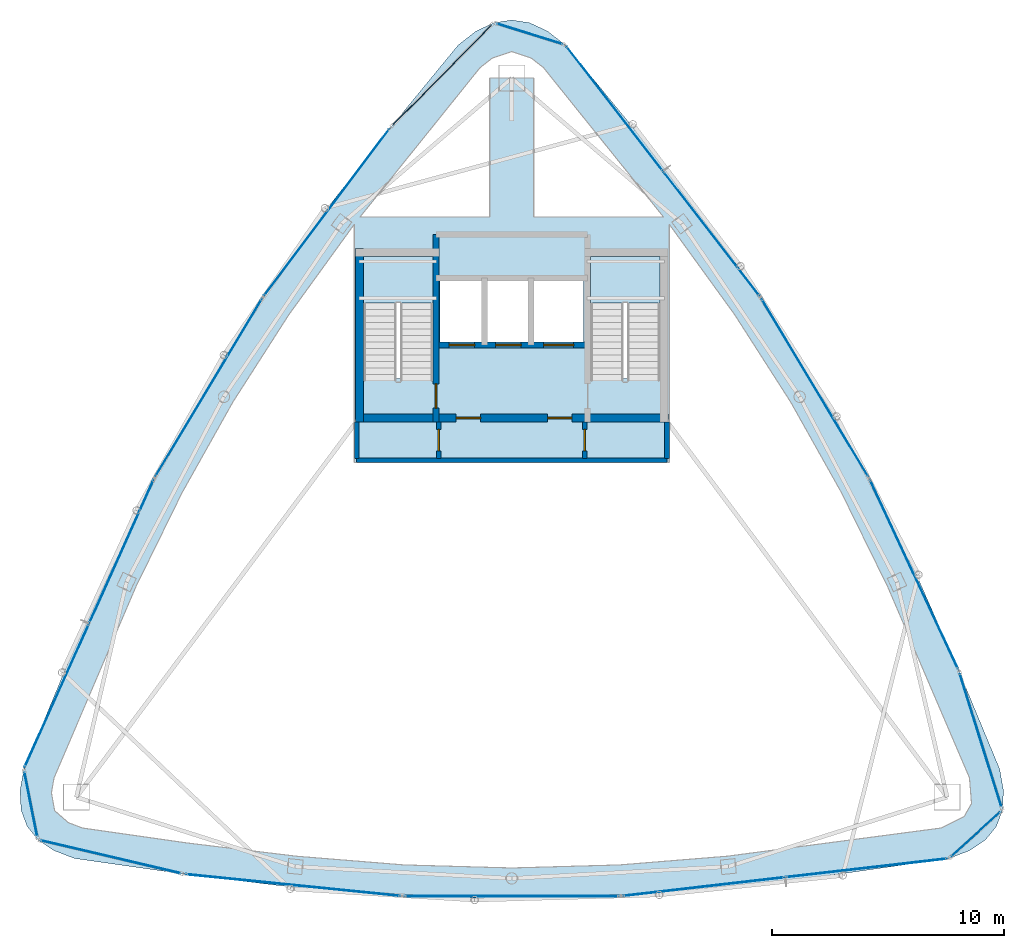
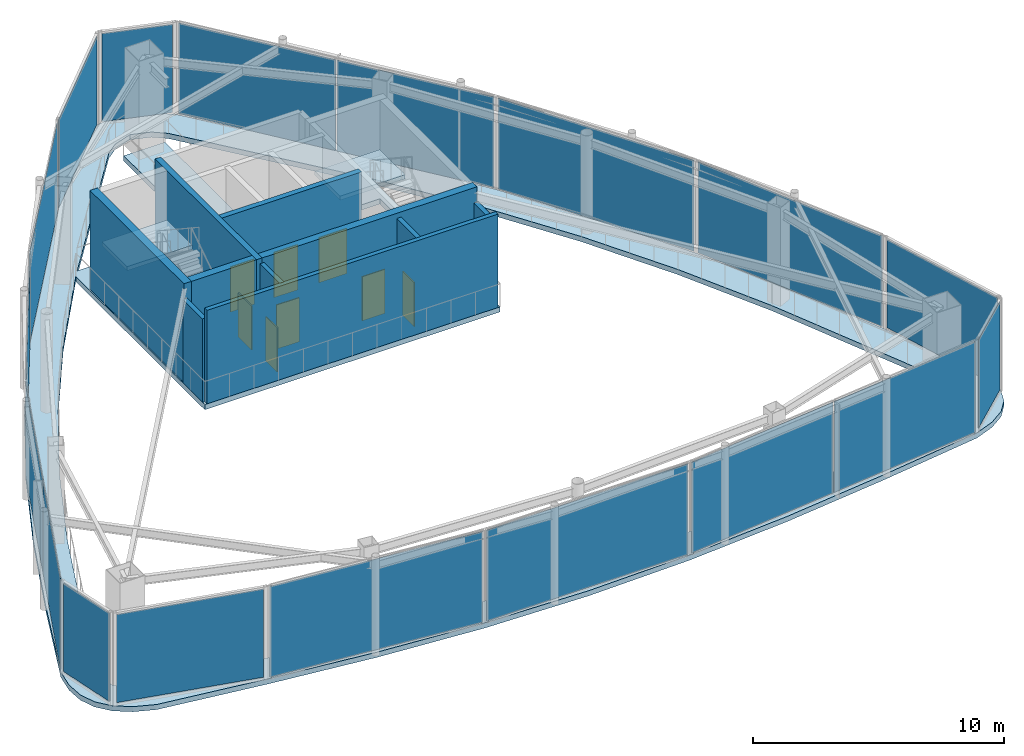
# One storey, part 15 of 19: 18 plates, 9 walls, 8 doors, 3 slabs, 8 openings, 17 elements without a shape of their own.
"""IFC4 building model written with IfcOpenShell, lengths in metres."""

from ifc_helpers import new_model, si_unit, direction, frame, frame_2d, origin, origin_2d, place, context, subcontext, project, spatial, polyline, rectangle, outline, extrude, material, layer, layer_set, type_object, element, fill, aggregate, save


model = new_model("IFC4")

# Units and contexts
model_context = context("Model", 3, precision=1e-05, world=origin(), true_north=direction((0.0, 1.0)))
body_context = subcontext(model_context, "Body", "Model", "MODEL_VIEW")
ifc_project = project(units=[si_unit("LENGTHUNIT", "METRE"), si_unit("AREAUNIT", "SQUARE_METRE"), si_unit("VOLUMEUNIT", "CUBIC_METRE"), si_unit("PLANEANGLEUNIT", "RADIAN"), si_unit("MASSUNIT", "GRAM", prefix="KILO")], contexts=[model_context])

# Site, building, storey
site_placement = place(None, origin())
site = spatial("IfcSite", under=ifc_project, at=site_placement, CompositionType="ELEMENT")
building_placement = place(site_placement, origin())
building = spatial("IfcBuilding", under=site, at=building_placement, Name="Orvanel Arch Residences", CompositionType="ELEMENT")
storey_placement = place(building_placement, frame((0.0, 0.0, 295.699951171875)))
storey = spatial("IfcBuildingStorey", under=building, at=storey_placement, Name="L83", CompositionType="ELEMENT", Elevation=295.699951171875)

# Curtain wall, plate
ifc_material_1 = material(Name="Bronze-anodised aluminium AA6063-T6", Category="aluminium")
ifc_layer_1 = layer(ifc_material_1, 0.2099609375)
ifc_layer_set_1 = layer_set([ifc_layer_1], Name="Bronze-anodised aluminium AA6063-T6")
curtain_wall_type = type_object("IfcCurtainWallType", Name="CW7-TOP-SYS", PredefinedType="NOTDEFINED", material=ifc_layer_set_1)
curtain_wall_1_placement = place(storey_placement, origin())
curtain_wall_1 = element("IfcCurtainWall", 1, at=curtain_wall_1_placement, inside=storey, type_object=curtain_wall_type, Name="L83 CW7-TOP-SYS Unitised Curtain Wall", PredefinedType="NOTDEFINED")
ifc_material_2 = material(Name="Double-glazed solar-control low-E safety glass", Category="glass")
ifc_layer_2 = layer(ifc_material_2, 0.031982421875)
ifc_layer_set_2 = layer_set([ifc_layer_2], Name="Double-glazed solar-control low-E safety glass")
plate_type = type_object("IfcPlateType", Name="PNL-GLZ-32", PredefinedType="CURTAIN_PANEL", material=ifc_layer_set_2)
plate_1_placement = place(storey_placement, frame((33.771484375, 43.30859375, 0.130126953125), z_axis=(0.0, 0.0, 1.0), x_axis=(-0.954819263057, 0.297187104186, 0.0)))
plate_1 = element("IfcPlate", 2, at=plate_1_placement, type_object=plate_type, Name="CW-S7 panel 1.1", PredefinedType="CURTAIN_PANEL", context=body_context, shape_type="SweptSolid", body=[
    extrude(rectangle(XDim=2.893310546875, YDim=0.031982421875, at=origin_2d()), origin(), (0.0, 0.0, 1.0), 4.2900390625),
])
aggregate(curtain_wall_1, [plate_1])

curtain_wall_2_placement = place(storey_placement, origin())
curtain_wall_2 = element("IfcCurtainWall", 3, at=curtain_wall_2_placement, inside=storey, type_object=curtain_wall_type, Name="L83 CW7-TOP-SYS Unitised Curtain Wall", PredefinedType="NOTDEFINED")
plate_2_placement = place(storey_placement, frame((29.99560546875, 41.528564453125, 0.130126953125), z_axis=(0.0, 0.0, 1.0), x_axis=(-0.702658700907, -0.71152705503, 0.0)))
plate_2 = element("IfcPlate", 4, at=plate_2_placement, type_object=plate_type, Name="CW-S7 panel 1.1", PredefinedType="CURTAIN_PANEL", context=body_context, shape_type="SweptSolid", body=[
    extrude(rectangle(XDim=6.0146484375, YDim=0.031982421875, at=origin_2d()), origin(), (0.0, 0.0, 1.0), 4.2900390625),
])
aggregate(curtain_wall_2, [plate_2])

curtain_wall_3_placement = place(storey_placement, origin())
curtain_wall_3 = element("IfcCurtainWall", 5, at=curtain_wall_3_placement, inside=storey, type_object=curtain_wall_type, Name="L83 CW7-TOP-SYS Unitised Curtain Wall", PredefinedType="NOTDEFINED")
plate_3_placement = place(storey_placement, frame((12.236572265625, 10.03857421875, 0.130126953125), z_axis=(0.0, 0.0, 1.0), x_axis=(0.195615366274, -0.980680696495, 0.0)))
plate_3 = element("IfcPlate", 6, at=plate_3_placement, type_object=plate_type, Name="CW-S7 panel 1.1", PredefinedType="CURTAIN_PANEL", context=body_context, shape_type="SweptSolid", body=[
    extrude(rectangle(XDim=2.7724609375, YDim=0.031982421875, at=origin_2d()), origin(), (0.0, 0.0, 1.0), 4.2900390625),
])
aggregate(curtain_wall_3, [plate_3])

curtain_wall_4_placement = place(storey_placement, origin())
curtain_wall_4 = element("IfcCurtainWall", 7, at=curtain_wall_4_placement, inside=storey, type_object=curtain_wall_type, Name="L83 CW7-TOP-SYS Unitised Curtain Wall", PredefinedType="NOTDEFINED")
plate_4_placement = place(storey_placement, frame((15.689453125, 7.77197265625, 0.130126953125), z_axis=(0.0, 0.0, 1.0), x_axis=(0.973510919271, -0.22864052585, 0.0)))
plate_4 = element("IfcPlate", 8, at=plate_4_placement, type_object=plate_type, Name="CW-S7 panel 1.1", PredefinedType="CURTAIN_PANEL", context=body_context, shape_type="SweptSolid", body=[
    extrude(rectangle(XDim=6.12939453125, YDim=0.031982421875, at=origin_2d()), origin(), (0.0, 0.0, 1.0), 4.2900390625),
])
aggregate(curtain_wall_4, [plate_4])

curtain_wall_5_placement = place(storey_placement, origin())
curtain_wall_5 = element("IfcCurtainWall", 9, at=curtain_wall_5_placement, inside=storey, type_object=curtain_wall_type, Name="L83 CW7-TOP-SYS Unitised Curtain Wall", PredefinedType="NOTDEFINED")
plate_5_placement = place(storey_placement, frame((53.035400390625, 8.75244140625, 0.130126953125), z_axis=(0.0, 0.0, 1.0), x_axis=(0.740131415499, 0.672462257522, 0.0)))
plate_5 = element("IfcPlate", 10, at=plate_5_placement, type_object=plate_type, Name="CW-S7 panel 1.1", PredefinedType="CURTAIN_PANEL", context=body_context, shape_type="SweptSolid", body=[
    extrude(rectangle(XDim=2.773681640625, YDim=0.031982421875, at=origin_2d()), origin(), (0.0, 0.0, 1.0), 4.2900390625),
])
aggregate(curtain_wall_5, [plate_5])

curtain_wall_6_placement = place(storey_placement, origin())
curtain_wall_6 = element("IfcCurtainWall", 11, at=curtain_wall_6_placement, inside=storey, type_object=curtain_wall_type, Name="L83 CW7-TOP-SYS Unitised Curtain Wall", PredefinedType="NOTDEFINED")
plate_6_placement = place(storey_placement, frame((53.2451171875, 12.8095703125, 0.130126953125), z_axis=(0.0, 0.0, 1.0), x_axis=(-0.298901573542, 0.954283945864, 0.0)))
plate_6 = element("IfcPlate", 12, at=plate_6_placement, type_object=plate_type, Name="CW-S7 panel 1.1", PredefinedType="CURTAIN_PANEL", context=body_context, shape_type="SweptSolid", body=[
    extrude(rectangle(XDim=5.9697265625, YDim=0.031982421875, at=origin_2d()), origin(), (0.0, 0.0, 1.0), 4.2900390625),
])
aggregate(curtain_wall_6, [plate_6])

curtain_wall_7_placement = place(storey_placement, origin())
curtain_wall_7 = element("IfcCurtainWall", 13, at=curtain_wall_7_placement, inside=storey, type_object=curtain_wall_type, Name="L83 CW7-TOP-SYS Unitised Curtain Wall", PredefinedType="NOTDEFINED")
plate_7_placement = place(storey_placement, frame((25.009521484375, 35.60498046875, 0.065185546875), z_axis=(0.0, 0.0, 1.0), x_axis=(-0.600876351509, -0.799341985759, 0.0)))
plate_7 = element("IfcPlate", 14, at=plate_7_placement, type_object=plate_type, Name="CW-S7 panel 1.1", PredefinedType="CURTAIN_PANEL", context=body_context, shape_type="SweptSolid", body=[
    extrude(rectangle(XDim=8.97509765625, YDim=0.031982421875, at=origin_2d()), origin(), (0.0, 0.0, 1.0), 4.419921875),
])
aggregate(curtain_wall_7, [plate_7])

curtain_wall_8_placement = place(storey_placement, origin())
curtain_wall_8 = element("IfcCurtainWall", 15, at=curtain_wall_8_placement, inside=storey, type_object=curtain_wall_type, Name="L83 CW7-TOP-SYS Unitised Curtain Wall", PredefinedType="NOTDEFINED")
plate_8_placement = place(storey_placement, frame((19.912109375, 28.034423828125, 0.065185546875), z_axis=(0.0, 0.0, 1.0), x_axis=(-0.514447133788, -0.857522096821, 0.0)))
plate_8 = element("IfcPlate", 16, at=plate_8_placement, type_object=plate_type, Name="CW-S7 panel 1.1", PredefinedType="CURTAIN_PANEL", context=body_context, shape_type="SweptSolid", body=[
    extrude(rectangle(XDim=8.923828125, YDim=0.031982421875, at=origin_2d()), origin(), (0.0, 0.0, 1.0), 4.419921875),
])
aggregate(curtain_wall_8, [plate_8])

# Curtain wall, plates
curtain_wall_9_placement = place(storey_placement, origin())
curtain_wall_9 = element("IfcCurtainWall", 17, at=curtain_wall_9_placement, inside=storey, type_object=curtain_wall_type, Name="L83 CW7-TOP-SYS Unitised Curtain Wall", PredefinedType="NOTDEFINED")
plate_9_placement = place(storey_placement, frame((16.147216796875, 20.96044921875, 0.065185546875), z_axis=(0.0, 0.0, 1.0), x_axis=(-0.40935286193, -0.912376147447, 0.0)))
plate_9 = element("IfcPlate", 18, at=plate_9_placement, type_object=plate_type, Name="CW-S7 panel 1.1", PredefinedType="CURTAIN_PANEL", context=body_context, shape_type="SweptSolid", body=[
    extrude(rectangle(XDim=6.751953125, YDim=0.031982421875, at=origin_2d()), origin(), (0.0, 0.0, 1.0), 4.419921875),
])
plate_10_placement = place(storey_placement, frame((13.352783203125, 14.731689453125, 0.065185546875), z_axis=(0.0, 0.0, 1.0), x_axis=(-0.40935286193, -0.912376147447, 0.0)))
plate_10 = element("IfcPlate", 19, at=plate_10_placement, type_object=plate_type, Name="CW-S7 panel 2.1", PredefinedType="CURTAIN_PANEL", context=body_context, shape_type="SweptSolid", body=[
    extrude(rectangle(XDim=6.751953125, YDim=0.031982421875, at=origin_2d()), origin(), (0.0, 0.0, 1.0), 4.419921875),
])
aggregate(curtain_wall_9, [plate_9, plate_10])

# Curtain wall, plate
curtain_wall_10_placement = place(storey_placement, origin())
curtain_wall_10 = element("IfcCurtainWall", 20, at=curtain_wall_10_placement, inside=storey, type_object=curtain_wall_type, Name="L83 CW7-TOP-SYS Unitised Curtain Wall", PredefinedType="NOTDEFINED")
plate_11_placement = place(storey_placement, frame((23.55859375, 6.554931640625, 0.065185546875), z_axis=(0.0, 0.0, 1.0), x_axis=(0.994932912487, -0.10054103466, 0.0)))
plate_11 = element("IfcPlate", 21, at=plate_11_placement, type_object=plate_type, Name="CW-S7 panel 1.1", PredefinedType="CURTAIN_PANEL", context=body_context, shape_type="SweptSolid", body=[
    extrude(rectangle(XDim=9.298828125, YDim=0.031982421875, at=origin_2d()), origin(), (0.0, 0.0, 1.0), 4.419921875),
])
aggregate(curtain_wall_10, [plate_11])

curtain_wall_11_placement = place(storey_placement, origin())
curtain_wall_11 = element("IfcCurtainWall", 22, at=curtain_wall_11_placement, inside=storey, type_object=curtain_wall_type, Name="L83 CW7-TOP-SYS Unitised Curtain Wall", PredefinedType="NOTDEFINED")
plate_12_placement = place(storey_placement, frame((33.0, 6.077880859375, 0.065185546875), z_axis=(0.0, 0.0, 1.0), x_axis=(1.0, 0.0, 0.0)))
plate_12 = element("IfcPlate", 23, at=plate_12_placement, type_object=plate_type, Name="CW-S7 panel 1.1", PredefinedType="CURTAIN_PANEL", context=body_context, shape_type="SweptSolid", body=[
    extrude(rectangle(XDim=9.251953125, YDim=0.031982421875, at=origin_2d()), origin(), (0.0, 0.0, 1.0), 4.419921875),
])
aggregate(curtain_wall_11, [plate_12])

# Curtain wall, plates
curtain_wall_12_placement = place(storey_placement, origin())
curtain_wall_12 = element("IfcCurtainWall", 24, at=curtain_wall_12_placement, inside=storey, type_object=curtain_wall_type, Name="L83 CW7-TOP-SYS Unitised Curtain Wall", PredefinedType="NOTDEFINED")
plate_13_placement = place(storey_placement, frame((41.2900390625, 6.488037109375, 0.065185546875), z_axis=(0.0, 0.0, 1.0), x_axis=(0.9934526127, 0.11424494002, 0.0)))
plate_13 = element("IfcPlate", 25, at=plate_13_placement, type_object=plate_type, Name="CW-S7 panel 1.1", PredefinedType="CURTAIN_PANEL", context=body_context, shape_type="SweptSolid", body=[
    extrude(rectangle(XDim=6.9951171875, YDim=0.031982421875, at=origin_2d()), origin(), (0.0, 0.0, 1.0), 4.419921875),
])
plate_14_placement = place(storey_placement, frame((48.31396484375, 7.2958984375, 0.065185546875), z_axis=(0.0, 0.0, 1.0), x_axis=(0.9934526127, 0.11424494002, 0.0)))
plate_14 = element("IfcPlate", 26, at=plate_14_placement, type_object=plate_type, Name="CW-S7 panel 2.1", PredefinedType="CURTAIN_PANEL", context=body_context, shape_type="SweptSolid", body=[
    extrude(rectangle(XDim=6.9951171875, YDim=0.031982421875, at=origin_2d()), origin(), (0.0, 0.0, 1.0), 4.419921875),
])
aggregate(curtain_wall_12, [plate_13, plate_14])

# Curtain wall, plate
curtain_wall_13_placement = place(storey_placement, origin())
curtain_wall_13 = element("IfcCurtainWall", 27, at=curtain_wall_13_placement, inside=storey, type_object=curtain_wall_type, Name="L83 CW7-TOP-SYS Unitised Curtain Wall", PredefinedType="NOTDEFINED")
plate_15_placement = place(storey_placement, frame((50.366943359375, 19.973388671875, 0.065185546875), z_axis=(0.0, 0.0, 1.0), x_axis=(-0.422363438385, 0.906426569511, 0.0)))
plate_15 = element("IfcPlate", 28, at=plate_15_placement, type_object=plate_type, Name="CW-S7 panel 1.1", PredefinedType="CURTAIN_PANEL", context=body_context, shape_type="SweptSolid", body=[
    extrude(rectangle(XDim=8.974853515625, YDim=0.031982421875, at=origin_2d()), origin(), (0.0, 0.0, 1.0), 4.419921875),
])
aggregate(curtain_wall_13, [plate_15])

curtain_wall_14_placement = place(storey_placement, origin())
curtain_wall_14 = element("IfcCurtainWall", 29, at=curtain_wall_14_placement, inside=storey, type_object=curtain_wall_type, Name="L83 CW7-TOP-SYS Unitised Curtain Wall", PredefinedType="NOTDEFINED")
plate_16_placement = place(storey_placement, frame((46.087890625, 28.034423828125, 0.065185546875), z_axis=(0.0, 0.0, 1.0), x_axis=(-0.514447133788, 0.857522096821, 0.0)))
plate_16 = element("IfcPlate", 30, at=plate_16_placement, type_object=plate_type, Name="CW-S7 panel 1.1", PredefinedType="CURTAIN_PANEL", context=body_context, shape_type="SweptSolid", body=[
    extrude(rectangle(XDim=8.923828125, YDim=0.031982421875, at=origin_2d()), origin(), (0.0, 0.0, 1.0), 4.419921875),
])
aggregate(curtain_wall_14, [plate_16])

# Curtain wall, plates
curtain_wall_15_placement = place(storey_placement, origin())
curtain_wall_15 = element("IfcCurtainWall", 31, at=curtain_wall_15_placement, inside=storey, type_object=curtain_wall_type, Name="L83 CW7-TOP-SYS Unitised Curtain Wall", PredefinedType="NOTDEFINED")
plate_17_placement = place(storey_placement, frame((41.619384765625, 34.686279296875, 0.065185546875), z_axis=(0.0, 0.0, 1.0), x_axis=(-0.612259873102, 0.790656592833, 0.0)))
plate_17 = element("IfcPlate", 32, at=plate_17_placement, type_object=plate_type, Name="CW-S7 panel 1.1", PredefinedType="CURTAIN_PANEL", context=body_context, shape_type="SweptSolid", body=[
    extrude(rectangle(XDim=6.75146484375, YDim=0.031982421875, at=origin_2d()), origin(), (0.0, 0.0, 1.0), 4.419921875),
])
plate_18_placement = place(storey_placement, frame((37.439697265625, 40.083740234375, 0.065185546875), z_axis=(0.0, 0.0, 1.0), x_axis=(-0.612259873102, 0.790656592833, 0.0)))
plate_18 = element("IfcPlate", 33, at=plate_18_placement, type_object=plate_type, Name="CW-S7 panel 2.1", PredefinedType="CURTAIN_PANEL", context=body_context, shape_type="SweptSolid", body=[
    extrude(rectangle(XDim=6.75146484375, YDim=0.031982421875, at=origin_2d()), origin(), (0.0, 0.0, 1.0), 4.419921875),
])
aggregate(curtain_wall_15, [plate_17, plate_18])

# Slab
ifc_material_3 = material(Name="Concrete N40 (40 MPa)", Category="concrete")
ifc_layer_3 = layer(ifc_material_3, 0.25)
ifc_layer_set_3 = layer_set([ifc_layer_3], Name="Concrete N40 (40 MPa)")
slab_type_1 = type_object("IfcSlabType", Name="SLB-CRN-250", PredefinedType="FLOOR", material=ifc_layer_set_3)
slab_1_placement = place(storey_placement, frame((0.0, 0.0, -0.25)))
element("IfcSlab", 34, at=slab_1_placement, inside=storey, type_object=slab_type_1, Name="L83 Crown Conservatory Ring Gallery Slab", PredefinedType="FLOOR", context=body_context, shape_type="SweptSolid", body=[
    extrude(outline(polyline([(35.31494140625, 42.827880859375), (34.54296875, 43.428955078125), (33.77197265625, 43.7890625), (33.0, 43.908935546875), (32.22802734375, 43.7890625), (31.45703125, 43.428955078125), (30.68505859375, 42.827880859375), (27.762939453125, 39.26806640625), (24.927978515625, 35.654052734375), (22.256103515625, 31.94189453125), (19.797119140625, 28.10400390625), (17.568115234375, 24.126953125), (15.552001953125, 20.02197265625), (13.697998046875, 15.820068359375), (11.931884765625, 11.56494140625), (11.76611328125, 10.6220703125), (11.81201171875, 9.799072265625), (12.071044921875, 9.094970703125), (12.541015625, 8.511962890625), (13.222900390625, 8.049072265625), (14.116943359375, 7.7060546875), (18.837890625, 7.031982421875), (23.55908203125, 6.4599609375), (28.279052734375, 6.077880859375), (33.0, 5.944091796875), (37.720947265625, 6.077880859375), (42.44091796875, 6.4599609375), (47.162109375, 7.031982421875), (51.883056640625, 7.7060546875), (52.777099609375, 8.049072265625), (53.458984375, 8.511962890625), (53.928955078125, 9.094970703125), (54.18798828125, 9.799072265625), (54.23388671875, 10.6220703125), (54.068115234375, 11.56494140625), (52.302001953125, 15.820068359375), (50.447998046875, 20.02197265625), (48.431884765625, 24.126953125), (46.202880859375, 28.10400390625), (43.743896484375, 31.94189453125), (41.072021484375, 35.654052734375), (38.237060546875, 39.26806640625), (35.31494140625, 42.827880859375)]), holes=[polyline([(26.60009765625, 28.429931640625), (26.60009765625, 33.699951171875), (29.60009765625, 33.699951171875), (29.60009765625, 28.429931640625), (26.60009765625, 28.429931640625)]), polyline([(36.39990234375, 28.429931640625), (36.39990234375, 33.699951171875), (39.39990234375, 33.699951171875), (39.39990234375, 28.429931640625), (36.39990234375, 28.429931640625)]), polyline([(29.89990234375, 32.64990234375), (31.75, 32.64990234375), (31.75, 29.949951171875), (29.89990234375, 29.949951171875), (29.89990234375, 32.64990234375)]), polyline([(31.89990234375, 32.64990234375), (33.75, 32.64990234375), (33.75, 29.949951171875), (31.89990234375, 29.949951171875), (31.89990234375, 32.64990234375)]), polyline([(33.89990234375, 32.64990234375), (36.10009765625, 32.64990234375), (36.10009765625, 29.949951171875), (33.89990234375, 29.949951171875), (33.89990234375, 32.64990234375)]), polyline([(39.554931640625, 35.39990234375), (33.949951171875, 35.39990234375), (33.949951171875, 41.39794921875), (32.050048828125, 41.39794921875), (32.050048828125, 35.39990234375), (26.445068359375, 35.39990234375), (31.633056640625, 41.85498046875), (32.166015625, 42.27001953125), (33.0, 42.54296875), (33.833984375, 42.27001953125), (34.366943359375, 41.85498046875), (39.554931640625, 35.39990234375)]), polyline([(42.626953125, 31.18310546875), (45.044921875, 27.408935546875), (47.236083984375, 23.4990234375), (49.22412109375, 19.451904296875), (52.763916015625, 11.18505859375), (52.85107421875, 10.075927734375), (52.533935546875, 9.51611328125), (51.5419921875, 9.02099609375), (42.304931640625, 7.802978515625), (37.64697265625, 7.426025390625), (33.0, 7.294921875), (28.35302734375, 7.426025390625), (23.695068359375, 7.802978515625), (19.014892578125, 8.3701171875), (14.4580078125, 9.02099609375), (13.85205078125, 9.25390625), (13.260986328125, 9.76904296875), (13.123046875, 10.5419921875), (13.236083984375, 11.18505859375), (16.77587890625, 19.451904296875), (18.763916015625, 23.4990234375), (20.955078125, 27.408935546875), (23.373046875, 31.18310546875), (26.199951171875, 35.087890625), (26.199951171875, 24.800048828125), (39.800048828125, 24.800048828125), (39.800048828125, 35.087890625), (42.626953125, 31.18310546875)])]), origin(), (0.0, 0.0, 1.0), 0.25),
])

# Stair, slab
ifc_material_4 = material(Name="Precast concrete N50 (50 MPa)", Category="concrete")
stair_type = type_object("IfcStairType", Name="STR-DOG-184", PredefinedType="USERDEFINED", material=ifc_material_4)
stair_1_placement = place(storey_placement, origin())
stair_1 = element("IfcStair", 35, at=stair_1_placement, inside=storey, type_object=stair_type, Name="L83 Fire-Isolated Core Exit Stair 1", ObjectType="TWO_RETURN_STAIR", PredefinedType="USERDEFINED")
ifc_layer_4 = layer(ifc_material_3, 0.199951171875)
ifc_layer_set_4 = layer_set([ifc_layer_4], Name="Concrete N40 (40 MPa)")
slab_type_2 = type_object("IfcSlabType", Name="SLB-LND-200", PredefinedType="LANDING", material=ifc_layer_set_4)
slab_2_placement = place(storey_placement, frame((0.0, 0.0, 2.199951171875)))
slab_2 = element("IfcSlab", 36, at=slab_2_placement, type_object=slab_type_2, Name="ST-1 landing 1", PredefinedType="LANDING", context=body_context, shape_type="SweptSolid", body=[
    extrude(outline(polyline([(29.60009765625, 31.679931640625), (29.60009765625, 33.699951171875), (26.60009765625, 33.699951171875), (26.60009765625, 31.679931640625), (29.60009765625, 31.679931640625)])), origin(), (0.0, 0.0, 1.0), 0.2001953125),
])
aggregate(stair_1, [slab_2])

stair_2_placement = place(storey_placement, origin())
stair_2 = element("IfcStair", 37, at=stair_2_placement, inside=storey, type_object=stair_type, Name="L83 Fire-Isolated Core Exit Stair 2", ObjectType="TWO_RETURN_STAIR", PredefinedType="USERDEFINED")
slab_3_placement = place(storey_placement, frame((0.0, 0.0, 2.199951171875)))
slab_3 = element("IfcSlab", 38, at=slab_3_placement, type_object=slab_type_2, Name="ST-2 landing 1", PredefinedType="LANDING", context=body_context, shape_type="SweptSolid", body=[
    extrude(outline(polyline([(39.39990234375, 31.679931640625), (39.39990234375, 33.699951171875), (36.39990234375, 33.699951171875), (36.39990234375, 31.679931640625), (39.39990234375, 31.679931640625)])), origin(), (0.0, 0.0, 1.0), 0.2001953125),
])
aggregate(stair_2, [slab_3])

# Wall, opening, door
ifc_material_5 = material(Name="Concrete N50 (50 MPa)", Category="concrete")
ifc_layer_5 = layer(ifc_material_5, 0.25)
ifc_layer_set_5 = layer_set([ifc_layer_5], Name="Concrete N50 (50 MPa)")
wall_type_1 = type_object("IfcWallType", Name="SW-CORE-250", PredefinedType="SHEAR", material=ifc_layer_set_5)
wall_1_placement = place(storey_placement, frame((29.72509765625, 26.550048828125, 0.0), z_axis=(0.0, 0.0, 1.0), x_axis=(0.0, 1.0, 0.0)))
wall_1 = element("IfcWall", 39, at=wall_1_placement, inside=storey, type_object=wall_type_1, Name="L83 West Inner Core Spine Shear Wall", PredefinedType="SHEAR", context=body_context, shape_type="SweptSolid", body=[
    extrude(rectangle(XDim=8.099853515625, YDim=0.25, at=frame_2d((4.0498046875, 0.0))), origin(), (0.0, 0.0, 1.0), 4.800048828125),
])
opening_1_placement = place(wall_1_placement, frame((0.60009765625, 0.0, 0.0)))
opening_1 = element("IfcOpeningElement", 40, at=opening_1_placement, cuts=wall_1, Name="Opening DF-120", PredefinedType="OPENING", context=body_context, shape_type="SweptSolid", body=[
    extrude(rectangle(XDim=1.050048828125, YDim=2.14990234375, at=frame_2d((0.52490234375, 1.074951171875))), frame((0.0, 0.135009765625, 0.0), z_axis=(0.0, -1.0, 0.0), x_axis=(1.0, 0.0, 0.0)), (0.0, 0.0, 1.0), 0.27001953125),
])
ifc_material_6 = material(Name="Galvanised steel fire-resisting door assembly", Category="steel")
door_type_1 = type_object("IfcDoorType", Name="DR-FD120-1050", OperationType="NOTDEFINED", PredefinedType="DOOR", material=ifc_material_6)
door_1_placement = place(opening_1_placement, origin())
door_1 = element("IfcDoor", 41, at=door_1_placement, inside=storey, type_object=door_type_1, Name="DR-L83-ST1 L83 Stair 1 Fire Door", OperationType="SINGLE_SWING_LEFT", OverallHeight=2.14990234375, OverallWidth=1.050048828125, PredefinedType="DOOR", context=body_context, shape_type="SweptSolid", body=[
    extrude(rectangle(XDim=1.050048828125, YDim=2.14990234375, at=frame_2d((0.52490234375, 1.074951171875))), frame((0.0, 0.02490234375, 0.0), z_axis=(0.0, -1.0, 0.0), x_axis=(1.0, 0.0, 0.0)), (0.0, 0.0, 1.0), 0.050048828125),
])
fill(opening_1, door_1)

# Wall, openings, doors
wall_2_placement = place(storey_placement, frame((36.27490234375, 29.875, 0.0), z_axis=(0.0, 0.0, 1.0), x_axis=(-1.0, 0.0, 0.0)))
wall_2 = element("IfcWall", 42, at=wall_2_placement, inside=storey, type_object=wall_type_1, Name="L83 Emergency Lift Front Core Shear Wall", PredefinedType="SHEAR", context=body_context, shape_type="SweptSolid", body=[
    extrude(rectangle(XDim=6.5498046875, YDim=0.25, at=frame_2d((3.27490234375, 0.0))), origin(), (0.0, 0.0, 1.0), 4.800048828125),
])
opening_2_placement = place(wall_2_placement, frame((4.875, 0.0, 0.0)))
opening_2 = element("IfcOpeningElement", 43, at=opening_2_placement, cuts=wall_2, Name="Opening LD-110", PredefinedType="OPENING", context=body_context, shape_type="SweptSolid", body=[
    extrude(rectangle(XDim=1.10009765625, YDim=2.199951171875, at=frame_2d((0.550048828125, 1.10009765625))), frame((0.0, 0.135009765625, 0.0), z_axis=(0.0, -1.0, 0.0), x_axis=(1.0, 0.0, 0.0)), (0.0, 0.0, 1.0), 0.27001953125),
])
opening_3_placement = place(wall_2_placement, frame((2.875, 0.0, 0.0)))
opening_3 = element("IfcOpeningElement", 44, at=opening_3_placement, cuts=wall_2, Name="Opening LD-110", PredefinedType="OPENING", context=body_context, shape_type="SweptSolid", body=[
    extrude(rectangle(XDim=1.10009765625, YDim=2.199951171875, at=frame_2d((0.550048828125, 1.10009765625))), frame((0.0, 0.135009765625, 0.0), z_axis=(0.0, -1.0, 0.0), x_axis=(1.0, 0.0, 0.0)), (0.0, 0.0, 1.0), 0.27001953125),
])
opening_4_placement = place(wall_2_placement, frame((0.60009765625, 0.0, 0.0)))
opening_4 = element("IfcOpeningElement", 45, at=opening_4_placement, cuts=wall_2, Name="Opening LD-130", PredefinedType="OPENING", context=body_context, shape_type="SweptSolid", body=[
    extrude(rectangle(XDim=1.300048828125, YDim=2.199951171875, at=frame_2d((0.64990234375, 1.10009765625))), frame((0.0, 0.135009765625, 0.0), z_axis=(0.0, -1.0, 0.0), x_axis=(1.0, 0.0, 0.0)), (0.0, 0.0, 1.0), 0.27001953125),
])
door_type_2 = type_object("IfcDoorType", Name="DR-LFT-1100", OperationType="NOTDEFINED", PredefinedType="DOOR", material=ifc_material_6)
door_2_placement = place(opening_2_placement, origin())
door_2 = element("IfcDoor", 46, at=door_2_placement, inside=storey, type_object=door_type_2, Name="LD-F1-L83 L83 Lift F1 Sliding Landing Door", OperationType="DOUBLE_DOOR_SLIDING", OverallHeight=2.199951171875, OverallWidth=1.10009765625, PredefinedType="DOOR", context=body_context, shape_type="SweptSolid", body=[
    extrude(rectangle(XDim=1.10009765625, YDim=2.199951171875, at=frame_2d((0.550048828125, 1.10009765625))), frame((0.0, 0.02490234375, 0.0), z_axis=(0.0, -1.0, 0.0), x_axis=(1.0, 0.0, 0.0)), (0.0, 0.0, 1.0), 0.050048828125),
])
fill(opening_2, door_2)
door_3_placement = place(opening_3_placement, origin())
door_3 = element("IfcDoor", 47, at=door_3_placement, inside=storey, type_object=door_type_2, Name="LD-F2-L83 L83 Lift F2 Sliding Landing Door", OperationType="DOUBLE_DOOR_SLIDING", OverallHeight=2.199951171875, OverallWidth=1.10009765625, PredefinedType="DOOR", context=body_context, shape_type="SweptSolid", body=[
    extrude(rectangle(XDim=1.10009765625, YDim=2.199951171875, at=frame_2d((0.550048828125, 1.10009765625))), frame((0.0, 0.02490234375, 0.0), z_axis=(0.0, -1.0, 0.0), x_axis=(1.0, 0.0, 0.0)), (0.0, 0.0, 1.0), 0.050048828125),
])
fill(opening_3, door_3)
door_type_3 = type_object("IfcDoorType", Name="DR-LFT-1300", OperationType="NOTDEFINED", PredefinedType="DOOR", material=ifc_material_6)
door_4_placement = place(opening_4_placement, origin())
door_4 = element("IfcDoor", 48, at=door_4_placement, inside=storey, type_object=door_type_3, Name="LD-G1-L83 L83 Lift G1 Sliding Landing Door", OperationType="DOUBLE_DOOR_SLIDING", OverallHeight=2.199951171875, OverallWidth=1.300048828125, PredefinedType="DOOR", context=body_context, shape_type="SweptSolid", body=[
    extrude(rectangle(XDim=1.300048828125, YDim=2.199951171875, at=frame_2d((0.64990234375, 1.10009765625))), frame((0.0, 0.02490234375, 0.0), z_axis=(0.0, -1.0, 0.0), x_axis=(1.0, 0.0, 0.0)), (0.0, 0.0, 1.0), 0.050048828125),
])
fill(opening_4, door_4)

ifc_layer_6 = layer(ifc_material_5, 0.35009765625)
ifc_layer_set_6 = layer_set([ifc_layer_6], Name="Concrete N50 (50 MPa)")
wall_type_2 = type_object("IfcWallType", Name="SW-CORE-350", PredefinedType="SHEAR", material=ifc_layer_set_6)
wall_3_placement = place(storey_placement, frame((26.25, 26.72509765625, 0.0), z_axis=(0.0, 0.0, 1.0), x_axis=(1.0, 0.0, 0.0)))
wall_3 = element("IfcWall", 49, at=wall_3_placement, inside=storey, type_object=wall_type_2, Name="L83 South Core Shear Wall", PredefinedType="SHEAR", context=body_context, shape_type="SweptSolid", body=[
    extrude(rectangle(XDim=13.5, YDim=0.35009765625, at=frame_2d((6.75, 0.0))), origin(), (0.0, 0.0, 1.0), 4.800048828125),
])
opening_5_placement = place(wall_3_placement, frame((4.35009765625, 0.0, 0.0)))
opening_5 = element("IfcOpeningElement", 50, at=opening_5_placement, cuts=wall_3, Name="Opening DF-060", PredefinedType="OPENING", context=body_context, shape_type="SweptSolid", body=[
    extrude(rectangle(XDim=1.050048828125, YDim=2.14990234375, at=frame_2d((0.52490234375, 1.074951171875))), frame((0.0, 0.18505859375, 0.0), z_axis=(0.0, -1.0, 0.0), x_axis=(1.0, 0.0, 0.0)), (0.0, 0.0, 1.0), 0.3701171875),
])
opening_6_placement = place(wall_3_placement, frame((8.300048828125, 0.0, 0.0)))
opening_6 = element("IfcOpeningElement", 51, at=opening_6_placement, cuts=wall_3, Name="Opening DF-060", PredefinedType="OPENING", context=body_context, shape_type="SweptSolid", body=[
    extrude(rectangle(XDim=1.050048828125, YDim=2.14990234375, at=frame_2d((0.52490234375, 1.074951171875))), frame((0.0, 0.18505859375, 0.0), z_axis=(0.0, -1.0, 0.0), x_axis=(1.0, 0.0, 0.0)), (0.0, 0.0, 1.0), 0.3701171875),
])
door_type_4 = type_object("IfcDoorType", Name="DR-FD60-1050", OperationType="NOTDEFINED", PredefinedType="DOOR", material=ifc_material_6)
door_5_placement = place(opening_5_placement, origin())
door_5 = element("IfcDoor", 52, at=door_5_placement, inside=storey, type_object=door_type_4, Name="DR-L83-FFL-W L83 West Smoke Lobby Door", OperationType="SINGLE_SWING_LEFT", OverallHeight=2.14990234375, OverallWidth=1.050048828125, PredefinedType="DOOR", context=body_context, shape_type="SweptSolid", body=[
    extrude(rectangle(XDim=1.050048828125, YDim=2.14990234375, at=frame_2d((0.52490234375, 1.074951171875))), frame((0.0, 0.02490234375, 0.0), z_axis=(0.0, -1.0, 0.0), x_axis=(1.0, 0.0, 0.0)), (0.0, 0.0, 1.0), 0.050048828125),
])
fill(opening_5, door_5)
door_6_placement = place(opening_6_placement, origin())
door_6 = element("IfcDoor", 53, at=door_6_placement, inside=storey, type_object=door_type_4, Name="DR-L83-FFL-E L83 East Smoke Lobby Door", OperationType="SINGLE_SWING_RIGHT", OverallHeight=2.14990234375, OverallWidth=1.050048828125, PredefinedType="DOOR", context=body_context, shape_type="SweptSolid", body=[
    extrude(rectangle(XDim=1.050048828125, YDim=2.14990234375, at=frame_2d((0.52490234375, 1.074951171875))), frame((0.0, 0.02490234375, 0.0), z_axis=(0.0, -1.0, 0.0), x_axis=(1.0, 0.0, 0.0)), (0.0, 0.0, 1.0), 0.050048828125),
])
fill(opening_6, door_6)

# Walls
wall_4_placement = place(storey_placement, frame((26.425048828125, 26.550048828125, 0.0), z_axis=(0.0, 0.0, 1.0), x_axis=(0.0, 1.0, 0.0)))
element("IfcWall", 54, at=wall_4_placement, inside=storey, type_object=wall_type_2, Name="L83 West Stair Shear Wall", PredefinedType="SHEAR", context=body_context, shape_type="SweptSolid", body=[
    extrude(rectangle(XDim=7.5, YDim=0.35009765625, at=frame_2d((3.75, 0.0))), origin(), (0.0, 0.0, 1.0), 4.800048828125),
])
ifc_material_7 = material(Name="Fire-rated plasterboard lined steel stud partition", Category="steel")
ifc_layer_7 = layer(ifc_material_7, 0.199951171875)
ifc_layer_set_7 = layer_set([ifc_layer_7], Name="Fire-rated plasterboard lined steel stud partition")
wall_type_3 = type_object("IfcWallType", Name="W-PLT-200", PredefinedType="PARTITIONING", material=ifc_layer_set_7)
wall_5_placement = place(storey_placement, frame((26.300048828125, 24.89990234375, 0.0), z_axis=(0.0, 0.0, 1.0), x_axis=(1.0, 0.0, 0.0)))
element("IfcWall", 55, at=wall_5_placement, inside=storey, type_object=wall_type_3, Name="L83 Crown Plant Apron South Wall", PredefinedType="PARTITIONING", context=body_context, shape_type="SweptSolid", body=[
    extrude(rectangle(XDim=13.39990234375, YDim=0.199951171875, at=frame_2d((6.699951171875, 0.0))), origin(), (0.0, 0.0, 1.0), 4.550048828125),
])
for number, where, z_axis, x_axis, name in (
    (56, (26.300048828125, 24.985107421875, 0.0), (0.0, 0.0, 1.0), (0.0, 1.0, 0.0), "L83 Crown Plant Apron West Wall"),
    (57, (39.699951171875, 24.985107421875, 0.0), (0.0, 0.0, 1.0), (0.0, 1.0, 0.0), "L83 Crown Plant Apron East Wall"),
):
    element("IfcWall", number, at=place(storey_placement, frame(where, z_axis=z_axis, x_axis=x_axis)), inside=storey, type_object=wall_type_3, Name=name, PredefinedType="PARTITIONING", context=body_context, shape_type="SweptSolid", body=[
        extrude(rectangle(XDim=1.56494140625, YDim=0.199951171875, at=frame_2d((0.782470703125, 0.0))), origin(), (0.0, 0.0, 1.0), 4.054931640625),
    ])

# Wall, opening, door
wall_6_placement = place(storey_placement, frame((29.85009765625, 24.985107421875, 0.0), z_axis=(0.0, 0.0, 1.0), x_axis=(0.0, 1.0, 0.0)))
wall_6 = element("IfcWall", 58, at=wall_6_placement, inside=storey, type_object=wall_type_3, Name="L83 West Crown Mechanical Plant Wall", PredefinedType="PARTITIONING", context=body_context, shape_type="SweptSolid", body=[
    extrude(rectangle(XDim=1.56494140625, YDim=0.199951171875, at=frame_2d((0.782470703125, 0.0))), origin(), (0.0, 0.0, 1.0), 4.550048828125),
])
opening_7_placement = place(wall_6_placement, frame((0.322998046875, 0.0, 0.0)))
opening_7 = element("IfcOpeningElement", 59, at=opening_7_placement, cuts=wall_6, Name="Opening DA-092", PredefinedType="OPENING", context=body_context, shape_type="SweptSolid", body=[
    extrude(rectangle(XDim=0.919921875, YDim=2.14990234375, at=frame_2d((0.4599609375, 1.074951171875))), frame((0.0, 0.10986328125, 0.0), z_axis=(0.0, -1.0, 0.0), x_axis=(1.0, 0.0, 0.0)), (0.0, 0.0, 1.0), 0.219970703125),
])
ifc_material_8 = material(Name="Solid-core European oak veneer fire door leaf", Category="wood")
door_type_5 = type_object("IfcDoorType", Name="DR-APT-920", OperationType="NOTDEFINED", PredefinedType="DOOR", material=ifc_material_8)
door_7_placement = place(opening_7_placement, origin())
door_7 = element("IfcDoor", 60, at=door_7_placement, inside=storey, type_object=door_type_5, Name="DR-L83-CRNW L83 West Crown Winter Garden Mechanical Plant Door", OperationType="SINGLE_SWING_LEFT", OverallHeight=2.14990234375, OverallWidth=0.919921875, PredefinedType="DOOR", context=body_context, shape_type="SweptSolid", body=[
    extrude(rectangle(XDim=0.919921875, YDim=2.14990234375, at=frame_2d((0.4599609375, 1.074951171875))), frame((0.0, 0.02490234375, 0.0), z_axis=(0.0, -1.0, 0.0), x_axis=(1.0, 0.0, 0.0)), (0.0, 0.0, 1.0), 0.050048828125),
])
fill(opening_7, door_7)

wall_7_placement = place(storey_placement, frame((36.14990234375, 24.985107421875, 0.0), z_axis=(0.0, 0.0, 1.0), x_axis=(0.0, 1.0, 0.0)))
wall_7 = element("IfcWall", 61, at=wall_7_placement, inside=storey, type_object=wall_type_3, Name="L83 East Crown Mechanical Plant Wall", PredefinedType="PARTITIONING", context=body_context, shape_type="SweptSolid", body=[
    extrude(rectangle(XDim=1.56494140625, YDim=0.199951171875, at=frame_2d((0.782470703125, 0.0))), origin(), (0.0, 0.0, 1.0), 4.550048828125),
])
opening_8_placement = place(wall_7_placement, frame((0.322998046875, 0.0, 0.0)))
opening_8 = element("IfcOpeningElement", 62, at=opening_8_placement, cuts=wall_7, Name="Opening DA-092", PredefinedType="OPENING", context=body_context, shape_type="SweptSolid", body=[
    extrude(rectangle(XDim=0.919921875, YDim=2.14990234375, at=frame_2d((0.4599609375, 1.074951171875))), frame((0.0, 0.10986328125, 0.0), z_axis=(0.0, -1.0, 0.0), x_axis=(1.0, 0.0, 0.0)), (0.0, 0.0, 1.0), 0.219970703125),
])
door_8_placement = place(opening_8_placement, origin())
door_8 = element("IfcDoor", 63, at=door_8_placement, inside=storey, type_object=door_type_5, Name="DR-L83-CRNE L83 East Crown Winter Garden Mechanical Plant Door", OperationType="SINGLE_SWING_RIGHT", OverallHeight=2.14990234375, OverallWidth=0.919921875, PredefinedType="DOOR", context=body_context, shape_type="SweptSolid", body=[
    extrude(rectangle(XDim=0.919921875, YDim=2.14990234375, at=frame_2d((0.4599609375, 1.074951171875))), frame((0.0, 0.02490234375, 0.0), z_axis=(0.0, -1.0, 0.0), x_axis=(1.0, 0.0, 0.0)), (0.0, 0.0, 1.0), 0.050048828125),
])
fill(opening_8, door_8)

save(model, "model.ifc")
